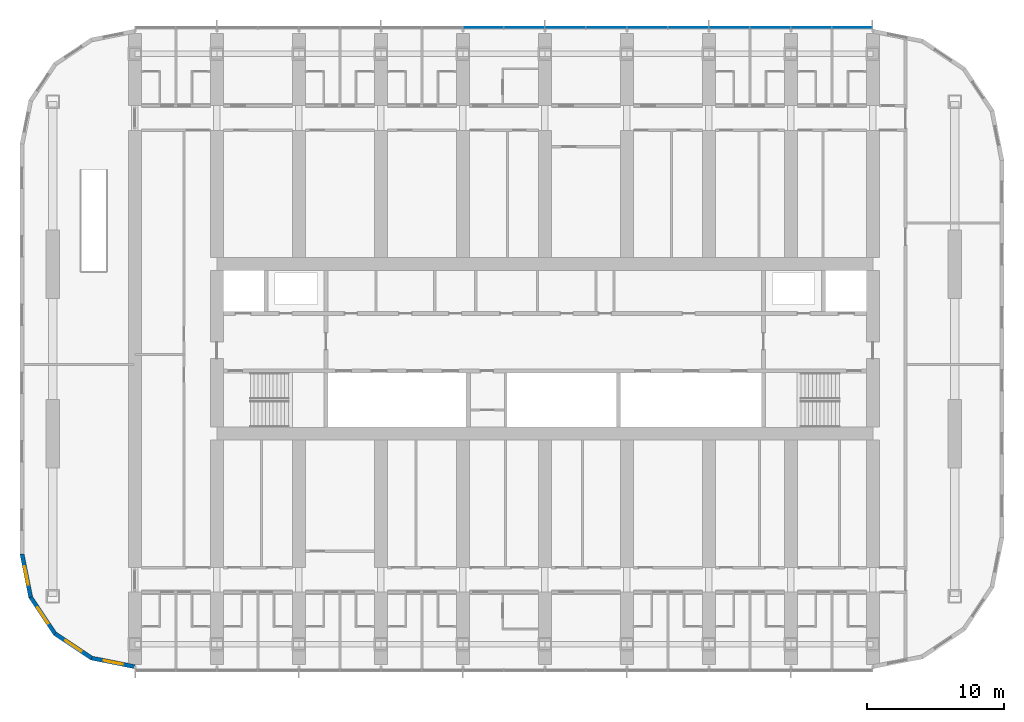
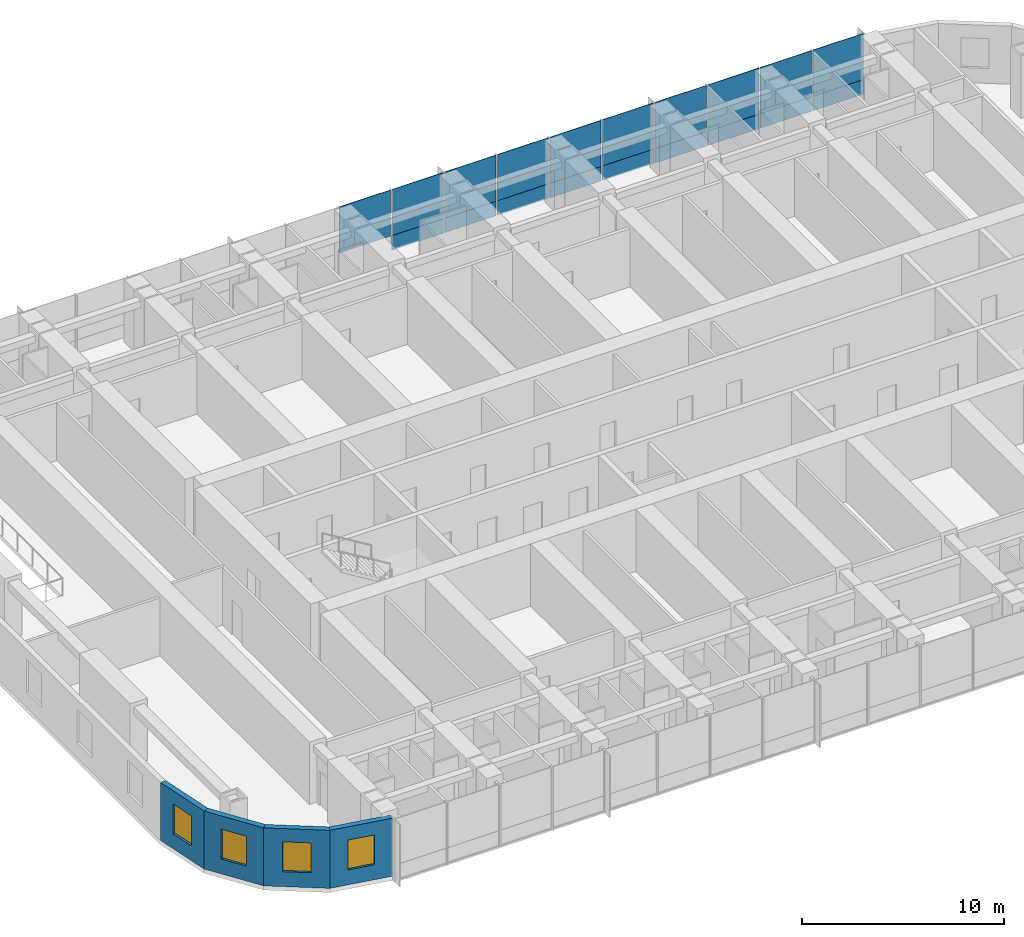
# One storey, part 7 of 21: 19 plates, 4 walls, 4 windows, 4 openings, 1 element without a shape of its own.
"""IFC4 building model written with IfcOpenShell, lengths in metres."""

from ifc_helpers import new_model, si_unit, direction, frame, frame_2d, origin, origin_2d, place, context, subcontext, project, spatial, polyline, rectangle, outline, extrude, material, layer, layer_set, type_object, element, fill, aggregate, save


model = new_model("IFC4")

# Units and contexts
model_context = context("Model", 3, precision=1e-05, world=origin(), true_north=direction((0.0, 1.0)))
body_context = subcontext(model_context, "Body", "Model", "MODEL_VIEW")
ifc_project = project(units=[si_unit("LENGTHUNIT", "METRE"), si_unit("AREAUNIT", "SQUARE_METRE"), si_unit("VOLUMEUNIT", "CUBIC_METRE"), si_unit("PLANEANGLEUNIT", "RADIAN"), si_unit("MASSUNIT", "GRAM", prefix="KILO")], contexts=[model_context])

# Site, building, storey
site_placement = place(None, origin())
site = spatial("IfcSite", under=ifc_project, at=site_placement, CompositionType="ELEMENT")
building_placement = place(site_placement, origin())
building = spatial("IfcBuilding", under=site, at=building_placement, Name="Orbita Commons", CompositionType="ELEMENT")
storey_placement = place(building_placement, frame((0.0, 0.0, 88.14990234375)))
storey = spatial("IfcBuildingStorey", under=building, at=storey_placement, Name="L21", CompositionType="ELEMENT", Elevation=88.14990234375)

# Curtain wall, plates
ifc_material_1 = material(Name="Anodised aluminium frame, pale silver", Category="aluminium")
curtain_wall_type = type_object("IfcCurtainWallType", Name="Unitised curtain wall CW-T, vision and spandrel", PredefinedType="NOTDEFINED", material=ifc_material_1)
curtain_wall_placement = place(storey_placement, origin())
curtain_wall = element("IfcCurtainWall", 1, at=curtain_wall_placement, inside=storey, type_object=curtain_wall_type, Name="Curtain wall north L21", PredefinedType="NOTDEFINED")
ifc_material_2 = material(Name="Anodised aluminium sheet on mineral wool", Category="aluminium")
ifc_layer_1 = layer(ifc_material_2, 0.050048828125)
ifc_layer_set_1 = layer_set([ifc_layer_1], Name="Anodised aluminium sheet on mineral wool")
plate_type_1 = type_object("IfcPlateType", Name="Spandrel panel, pale aluminium over insulation 50", PredefinedType="CURTAIN_PANEL", material=ifc_layer_set_1)
plate_1_placement = place(storey_placement, frame((64.47998046875, 55.510009765625, -0.14990234375), z_axis=(0.0, 0.0, 1.0), x_axis=(-1.0, 0.0, 0.0)))
plate_1 = element("IfcPlate", 2, at=plate_1_placement, type_object=plate_type_1, Name="Panel 1.1 CW-L21-N", PredefinedType="CURTAIN_PANEL", context=body_context, shape_type="SweptSolid", body=[
    extrude(rectangle(XDim=2.8798828125, YDim=0.050048828125, at=origin_2d()), origin(), (0.0, 0.0, 1.0), 0.875),
])
plate_2_placement = place(storey_placement, frame((61.5, 55.510009765625, -0.14990234375), z_axis=(0.0, 0.0, 1.0), x_axis=(-1.0, 0.0, 0.0)))
plate_2 = element("IfcPlate", 3, at=plate_2_placement, type_object=plate_type_1, Name="Panel 2.1 CW-L21-N", PredefinedType="CURTAIN_PANEL", context=body_context, shape_type="SweptSolid", body=[
    extrude(rectangle(XDim=2.919921875, YDim=0.050048828125, at=origin_2d()), origin(), (0.0, 0.0, 1.0), 0.875),
])
plate_3_placement = place(storey_placement, frame((58.5, 55.510009765625, -0.14990234375), z_axis=(0.0, 0.0, 1.0), x_axis=(-1.0, 0.0, 0.0)))
plate_3 = element("IfcPlate", 4, at=plate_3_placement, type_object=plate_type_1, Name="Panel 3.1 CW-L21-N", PredefinedType="CURTAIN_PANEL", context=body_context, shape_type="SweptSolid", body=[
    extrude(rectangle(XDim=2.919921875, YDim=0.050048828125, at=origin_2d()), origin(), (0.0, 0.0, 1.0), 0.875),
])
plate_4_placement = place(storey_placement, frame((55.5, 55.510009765625, -0.14990234375), z_axis=(0.0, 0.0, 1.0), x_axis=(-1.0, 0.0, 0.0)))
plate_4 = element("IfcPlate", 5, at=plate_4_placement, type_object=plate_type_1, Name="Panel 4.1 CW-L21-N", PredefinedType="CURTAIN_PANEL", context=body_context, shape_type="SweptSolid", body=[
    extrude(rectangle(XDim=2.919921875, YDim=0.050048828125, at=origin_2d()), origin(), (0.0, 0.0, 1.0), 0.875),
])
plate_5_placement = place(storey_placement, frame((52.5, 55.510009765625, -0.14990234375), z_axis=(0.0, 0.0, 1.0), x_axis=(-1.0, 0.0, 0.0)))
plate_5 = element("IfcPlate", 6, at=plate_5_placement, type_object=plate_type_1, Name="Panel 5.1 CW-L21-N", PredefinedType="CURTAIN_PANEL", context=body_context, shape_type="SweptSolid", body=[
    extrude(rectangle(XDim=2.919921875, YDim=0.050048828125, at=origin_2d()), origin(), (0.0, 0.0, 1.0), 0.875),
])
plate_6_placement = place(storey_placement, frame((49.5, 55.510009765625, -0.14990234375), z_axis=(0.0, 0.0, 1.0), x_axis=(-1.0, 0.0, 0.0)))
plate_6 = element("IfcPlate", 7, at=plate_6_placement, type_object=plate_type_1, Name="Panel 6.1 CW-L21-N", PredefinedType="CURTAIN_PANEL", context=body_context, shape_type="SweptSolid", body=[
    extrude(rectangle(XDim=2.919921875, YDim=0.050048828125, at=origin_2d()), origin(), (0.0, 0.0, 1.0), 0.875),
])
plate_7_placement = place(storey_placement, frame((46.5, 55.510009765625, -0.14990234375), z_axis=(0.0, 0.0, 1.0), x_axis=(-1.0, 0.0, 0.0)))
plate_7 = element("IfcPlate", 8, at=plate_7_placement, type_object=plate_type_1, Name="Panel 7.1 CW-L21-N", PredefinedType="CURTAIN_PANEL", context=body_context, shape_type="SweptSolid", body=[
    extrude(rectangle(XDim=2.919921875, YDim=0.050048828125, at=origin_2d()), origin(), (0.0, 0.0, 1.0), 0.875),
])
plate_8_placement = place(storey_placement, frame((43.5, 55.510009765625, -0.14990234375), z_axis=(0.0, 0.0, 1.0), x_axis=(-1.0, 0.0, 0.0)))
plate_8 = element("IfcPlate", 9, at=plate_8_placement, type_object=plate_type_1, Name="Panel 8.1 CW-L21-N", PredefinedType="CURTAIN_PANEL", context=body_context, shape_type="SweptSolid", body=[
    extrude(rectangle(XDim=2.919921875, YDim=0.050048828125, at=origin_2d()), origin(), (0.0, 0.0, 1.0), 0.875),
])
plate_9_placement = place(storey_placement, frame((40.5, 55.510009765625, -0.14990234375), z_axis=(0.0, 0.0, 1.0), x_axis=(-1.0, 0.0, 0.0)))
plate_9 = element("IfcPlate", 10, at=plate_9_placement, type_object=plate_type_1, Name="Panel 9.1 CW-L21-N", PredefinedType="CURTAIN_PANEL", context=body_context, shape_type="SweptSolid", body=[
    extrude(rectangle(XDim=2.919921875, YDim=0.050048828125, at=origin_2d()), origin(), (0.0, 0.0, 1.0), 0.875),
])
ifc_material_3 = material(Name="Clear double glazing", Category="glass")
ifc_layer_2 = layer(ifc_material_3, 0.031982421875)
ifc_layer_set_2 = layer_set([ifc_layer_2], Name="Clear double glazing")
plate_type_2 = type_object("IfcPlateType", Name="Vision panel, clear double glazing 32", PredefinedType="CURTAIN_PANEL", material=ifc_layer_set_2)
plate_10_placement = place(storey_placement, frame((64.47998046875, 55.510009765625, 0.72509765625), z_axis=(0.0, 0.0, 1.0), x_axis=(-1.0, 0.0, 0.0)))
plate_10 = element("IfcPlate", 11, at=plate_10_placement, type_object=plate_type_2, Name="Panel 1.2 CW-L21-N", PredefinedType="CURTAIN_PANEL", context=body_context, shape_type="SweptSolid", body=[
    extrude(rectangle(XDim=2.8798828125, YDim=0.031982421875, at=origin_2d()), origin(), (0.0, 0.0, 1.0), 2.77490234375),
])
plate_11_placement = place(storey_placement, frame((61.5, 55.510009765625, 0.72509765625), z_axis=(0.0, 0.0, 1.0), x_axis=(-1.0, 0.0, 0.0)))
plate_11 = element("IfcPlate", 12, at=plate_11_placement, type_object=plate_type_2, Name="Panel 2.2 CW-L21-N", PredefinedType="CURTAIN_PANEL", context=body_context, shape_type="SweptSolid", body=[
    extrude(rectangle(XDim=2.919921875, YDim=0.031982421875, at=origin_2d()), origin(), (0.0, 0.0, 1.0), 2.77490234375),
])
plate_12_placement = place(storey_placement, frame((58.5, 55.510009765625, 0.72509765625), z_axis=(0.0, 0.0, 1.0), x_axis=(-1.0, 0.0, 0.0)))
plate_12 = element("IfcPlate", 13, at=plate_12_placement, type_object=plate_type_2, Name="Panel 3.2 CW-L21-N", PredefinedType="CURTAIN_PANEL", context=body_context, shape_type="SweptSolid", body=[
    extrude(rectangle(XDim=2.919921875, YDim=0.031982421875, at=origin_2d()), origin(), (0.0, 0.0, 1.0), 2.77490234375),
])
plate_13_placement = place(storey_placement, frame((55.5, 55.510009765625, 0.72509765625), z_axis=(0.0, 0.0, 1.0), x_axis=(-1.0, 0.0, 0.0)))
plate_13 = element("IfcPlate", 14, at=plate_13_placement, type_object=plate_type_2, Name="Panel 4.2 CW-L21-N", PredefinedType="CURTAIN_PANEL", context=body_context, shape_type="SweptSolid", body=[
    extrude(rectangle(XDim=2.919921875, YDim=0.031982421875, at=origin_2d()), origin(), (0.0, 0.0, 1.0), 2.77490234375),
])
plate_14_placement = place(storey_placement, frame((52.5, 55.510009765625, 0.72509765625), z_axis=(0.0, 0.0, 1.0), x_axis=(-1.0, 0.0, 0.0)))
plate_14 = element("IfcPlate", 15, at=plate_14_placement, type_object=plate_type_2, Name="Panel 5.2 CW-L21-N", PredefinedType="CURTAIN_PANEL", context=body_context, shape_type="SweptSolid", body=[
    extrude(rectangle(XDim=2.919921875, YDim=0.031982421875, at=origin_2d()), origin(), (0.0, 0.0, 1.0), 2.77490234375),
])
plate_15_placement = place(storey_placement, frame((49.5, 55.510009765625, 0.72509765625), z_axis=(0.0, 0.0, 1.0), x_axis=(-1.0, 0.0, 0.0)))
plate_15 = element("IfcPlate", 16, at=plate_15_placement, type_object=plate_type_2, Name="Panel 6.2 CW-L21-N", PredefinedType="CURTAIN_PANEL", context=body_context, shape_type="SweptSolid", body=[
    extrude(rectangle(XDim=2.919921875, YDim=0.031982421875, at=origin_2d()), origin(), (0.0, 0.0, 1.0), 2.77490234375),
])
plate_16_placement = place(storey_placement, frame((46.5, 55.510009765625, 0.72509765625), z_axis=(0.0, 0.0, 1.0), x_axis=(-1.0, 0.0, 0.0)))
plate_16 = element("IfcPlate", 17, at=plate_16_placement, type_object=plate_type_2, Name="Panel 7.2 CW-L21-N", PredefinedType="CURTAIN_PANEL", context=body_context, shape_type="SweptSolid", body=[
    extrude(rectangle(XDim=2.919921875, YDim=0.031982421875, at=origin_2d()), origin(), (0.0, 0.0, 1.0), 2.77490234375),
])
plate_17_placement = place(storey_placement, frame((43.5, 55.510009765625, 0.72509765625), z_axis=(0.0, 0.0, 1.0), x_axis=(-1.0, 0.0, 0.0)))
plate_17 = element("IfcPlate", 18, at=plate_17_placement, type_object=plate_type_2, Name="Panel 8.2 CW-L21-N", PredefinedType="CURTAIN_PANEL", context=body_context, shape_type="SweptSolid", body=[
    extrude(rectangle(XDim=2.919921875, YDim=0.031982421875, at=origin_2d()), origin(), (0.0, 0.0, 1.0), 2.77490234375),
])
plate_18_placement = place(storey_placement, frame((40.5, 55.510009765625, 0.72509765625), z_axis=(0.0, 0.0, 1.0), x_axis=(-1.0, 0.0, 0.0)))
plate_18 = element("IfcPlate", 19, at=plate_18_placement, type_object=plate_type_2, Name="Panel 9.2 CW-L21-N", PredefinedType="CURTAIN_PANEL", context=body_context, shape_type="SweptSolid", body=[
    extrude(rectangle(XDim=2.919921875, YDim=0.031982421875, at=origin_2d()), origin(), (0.0, 0.0, 1.0), 2.77490234375),
])
plate_19_placement = place(storey_placement, frame((37.5, 55.510009765625, 0.72509765625), z_axis=(0.0, 0.0, 1.0), x_axis=(-1.0, 0.0, 0.0)))
plate_19 = element("IfcPlate", 20, at=plate_19_placement, type_object=plate_type_2, Name="Panel 10.2 CW-L21-N", PredefinedType="CURTAIN_PANEL", context=body_context, shape_type="SweptSolid", body=[
    extrude(rectangle(XDim=2.919921875, YDim=0.031982421875, at=origin_2d()), origin(), (0.0, 0.0, 1.0), 2.77490234375),
])
aggregate(curtain_wall, [plate_1, plate_10, plate_2, plate_11, plate_3, plate_12, plate_4, plate_13, plate_5, plate_14, plate_6, plate_15, plate_7, plate_16, plate_8, plate_17, plate_9, plate_18, plate_19])

# Wall, opening, window
ifc_material_4 = material(Name="Precast concrete C40/50, white board-marked finish", Category="concrete")
ifc_layer_3 = layer(ifc_material_4, 0.300048828125)
ifc_layer_set_3 = layer_set([ifc_layer_3], Name="Precast concrete C40/50, white board-marked finish")
wall_type = type_object("IfcWallType", Name="Precast concrete end shield 300", PredefinedType="SOLIDWALL", material=ifc_layer_set_3)
wall_1_placement = place(storey_placement, frame((3.75, 17.0, 0.0), z_axis=(0.0, 0.0, 1.0), x_axis=(0.195080412259, -0.980787251524, 0.0)))
wall_1 = element("IfcWall", 21, at=wall_1_placement, inside=storey, type_object=wall_type, Name="End shield SW chord 1 L21", PredefinedType="SOLIDWALL", context=body_context, shape_type="SweptSolid", body=[
    extrude(outline(polyline([(-0.014892578125, -0.14990234375), (3.24853515625, -0.14990234375), (3.18896484375, 0.14990234375), (0.014892578125, 0.14990234375), (-0.014892578125, -0.14990234375)])), origin(), (0.0, 0.0, 1.0), 3.5),
])
opening_1_placement = place(wall_1_placement, frame((0.909423828125, 0.0, 0.89990234375)))
opening_1 = element("IfcOpeningElement", 22, at=opening_1_placement, cuts=wall_1, Name="Opening W02", PredefinedType="OPENING", context=body_context, shape_type="SweptSolid", body=[
    extrude(rectangle(XDim=1.39990234375, YDim=1.800048828125, at=frame_2d((0.699951171875, 0.89990234375))), frame((0.0, 0.159912109375, 0.0), z_axis=(0.0, -1.0, 0.0), x_axis=(1.0, 0.0, 0.0)), (0.0, 0.0, 1.0), 0.320068359375),
])
ifc_material_5 = material(Name="Aluminium frame, clear double glazing", Category="aluminium")
window_type = type_object("IfcWindowType", Name="Deep-set window 1400x1800", PartitioningType="SINGLE_PANEL", PredefinedType="WINDOW", material=ifc_material_5)
window_1_placement = place(opening_1_placement, origin())
window_1 = element("IfcWindow", 23, at=window_1_placement, inside=storey, type_object=window_type, Name="Window L21-SW0", OverallHeight=1.800048828125, OverallWidth=1.39990234375, PartitioningType="SINGLE_PANEL", PredefinedType="WINDOW", context=body_context, shape_type="SweptSolid", body=[
    extrude(rectangle(XDim=1.39990234375, YDim=1.800048828125, at=frame_2d((0.699951171875, 0.89990234375))), frame((0.0, 0.030029296875, 0.0), z_axis=(0.0, -1.0, 0.0), x_axis=(1.0, 0.0, 0.0)), (0.0, 0.0, 1.0), 0.06005859375),
])
fill(opening_1, window_1)

wall_2_placement = place(storey_placement, frame((4.3779296875, 13.843017578125, 0.0), z_axis=(0.0, 0.0, 1.0), x_axis=(0.555609954424, -0.831443069936, 0.0)))
wall_2 = element("IfcWall", 24, at=wall_2_placement, inside=storey, type_object=wall_type, Name="End shield SW chord 2 L21", PredefinedType="SOLIDWALL", context=body_context, shape_type="SweptSolid", body=[
    extrude(outline(polyline([(-0.02978515625, -0.14990234375), (3.2490234375, -0.14990234375), (3.189453125, 0.14990234375), (0.02978515625, 0.14990234375), (-0.02978515625, -0.14990234375)])), origin(), (0.0, 0.0, 1.0), 3.5),
])
opening_2_placement = place(wall_2_placement, frame((0.909423828125, 0.0, 0.89990234375)))
opening_2 = element("IfcOpeningElement", 25, at=opening_2_placement, cuts=wall_2, Name="Opening W02", PredefinedType="OPENING", context=body_context, shape_type="SweptSolid", body=[
    extrude(rectangle(XDim=1.39990234375, YDim=1.800048828125, at=frame_2d((0.699951171875, 0.89990234375))), frame((0.0, 0.159912109375, 0.0), z_axis=(0.0, -1.0, 0.0), x_axis=(1.0, 0.0, 0.0)), (0.0, 0.0, 1.0), 0.320068359375),
])
window_2_placement = place(opening_2_placement, origin())
window_2 = element("IfcWindow", 26, at=window_2_placement, inside=storey, type_object=window_type, Name="Window L21-SW1", OverallHeight=1.800048828125, OverallWidth=1.39990234375, PartitioningType="SINGLE_PANEL", PredefinedType="WINDOW", context=body_context, shape_type="SweptSolid", body=[
    extrude(rectangle(XDim=1.39990234375, YDim=1.800048828125, at=frame_2d((0.699951171875, 0.89990234375))), frame((0.0, 0.030029296875, 0.0), z_axis=(0.0, -1.0, 0.0), x_axis=(1.0, 0.0, 0.0)), (0.0, 0.0, 1.0), 0.06005859375),
])
fill(opening_2, window_2)

wall_3_placement = place(storey_placement, frame((6.16650390625, 11.16650390625, 0.0), z_axis=(0.0, 0.0, 1.0), x_axis=(0.831443069936, -0.555609954424, 0.0)))
wall_3 = element("IfcWall", 27, at=wall_3_placement, inside=storey, type_object=wall_type, Name="End shield SW chord 3 L21", PredefinedType="SOLIDWALL", context=body_context, shape_type="SweptSolid", body=[
    extrude(outline(polyline([(-0.02978515625, -0.14990234375), (3.2490234375, -0.14990234375), (3.189453125, 0.14990234375), (0.02978515625, 0.14990234375), (-0.02978515625, -0.14990234375)])), origin(), (0.0, 0.0, 1.0), 3.5),
])
opening_3_placement = place(wall_3_placement, frame((0.909423828125, 0.0, 0.89990234375)))
opening_3 = element("IfcOpeningElement", 28, at=opening_3_placement, cuts=wall_3, Name="Opening W02", PredefinedType="OPENING", context=body_context, shape_type="SweptSolid", body=[
    extrude(rectangle(XDim=1.39990234375, YDim=1.800048828125, at=frame_2d((0.699951171875, 0.89990234375))), frame((0.0, 0.159912109375, 0.0), z_axis=(0.0, -1.0, 0.0), x_axis=(1.0, 0.0, 0.0)), (0.0, 0.0, 1.0), 0.320068359375),
])
window_3_placement = place(opening_3_placement, origin())
window_3 = element("IfcWindow", 29, at=window_3_placement, inside=storey, type_object=window_type, Name="Window L21-SW2", OverallHeight=1.800048828125, OverallWidth=1.39990234375, PartitioningType="SINGLE_PANEL", PredefinedType="WINDOW", context=body_context, shape_type="SweptSolid", body=[
    extrude(rectangle(XDim=1.39990234375, YDim=1.800048828125, at=frame_2d((0.699951171875, 0.89990234375))), frame((0.0, 0.030029296875, 0.0), z_axis=(0.0, -1.0, 0.0), x_axis=(1.0, 0.0, 0.0)), (0.0, 0.0, 1.0), 0.06005859375),
])
fill(opening_3, window_3)

wall_4_placement = place(storey_placement, frame((8.843017578125, 9.3779296875, 0.0), z_axis=(0.0, 0.0, 1.0), x_axis=(0.980787251524, -0.195080412259, 0.0)))
wall_4 = element("IfcWall", 30, at=wall_4_placement, inside=storey, type_object=wall_type, Name="End shield SW chord 4 L21", PredefinedType="SOLIDWALL", context=body_context, shape_type="SweptSolid", body=[
    extrude(outline(polyline([(-0.02978515625, -0.14990234375), (3.24853515625, -0.14990234375), (3.18896484375, 0.14990234375), (0.02978515625, 0.14990234375), (-0.02978515625, -0.14990234375)])), origin(), (0.0, 0.0, 1.0), 3.5),
])
opening_4_placement = place(wall_4_placement, frame((0.909423828125, 0.0, 0.89990234375)))
opening_4 = element("IfcOpeningElement", 31, at=opening_4_placement, cuts=wall_4, Name="Opening W02", PredefinedType="OPENING", context=body_context, shape_type="SweptSolid", body=[
    extrude(rectangle(XDim=1.39990234375, YDim=1.800048828125, at=frame_2d((0.699951171875, 0.89990234375))), frame((0.0, 0.159912109375, 0.0), z_axis=(0.0, -1.0, 0.0), x_axis=(1.0, 0.0, 0.0)), (0.0, 0.0, 1.0), 0.320068359375),
])
window_4_placement = place(opening_4_placement, origin())
window_4 = element("IfcWindow", 32, at=window_4_placement, inside=storey, type_object=window_type, Name="Window L21-SW3", OverallHeight=1.800048828125, OverallWidth=1.39990234375, PartitioningType="SINGLE_PANEL", PredefinedType="WINDOW", context=body_context, shape_type="SweptSolid", body=[
    extrude(rectangle(XDim=1.39990234375, YDim=1.800048828125, at=frame_2d((0.699951171875, 0.89990234375))), frame((0.0, 0.030029296875, 0.0), z_axis=(0.0, -1.0, 0.0), x_axis=(1.0, 0.0, 0.0)), (0.0, 0.0, 1.0), 0.06005859375),
])
fill(opening_4, window_4)

save(model, "model.ifc")
